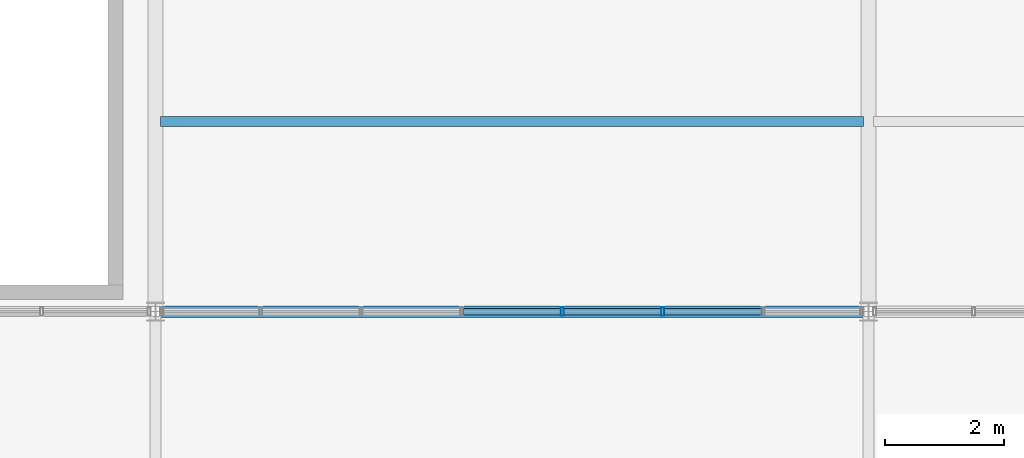
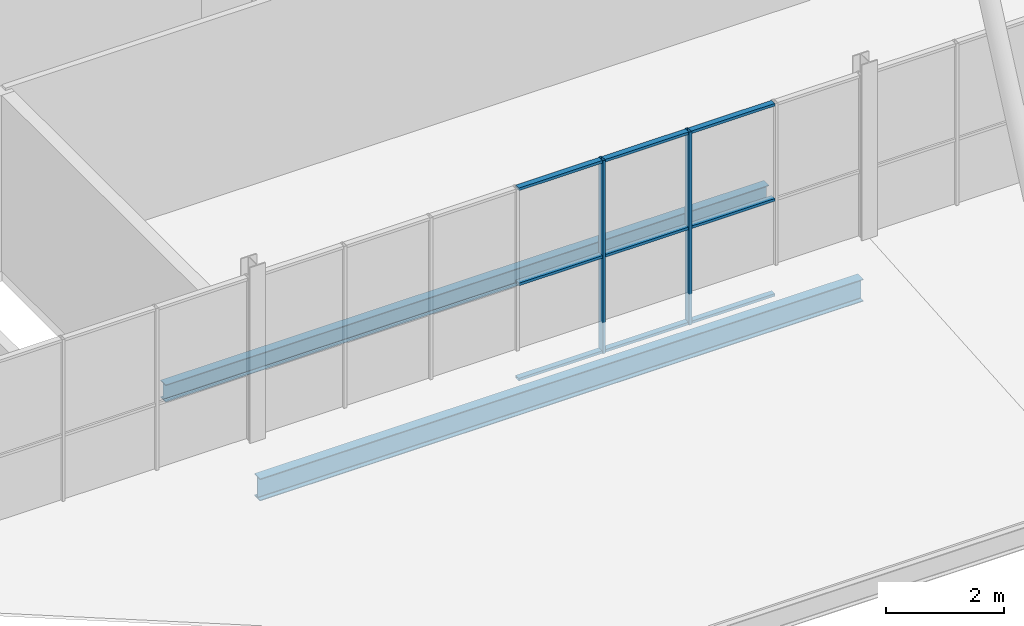
# One storey, part 174 of 324: 11 members, 2 beams, 1 element without a shape of its own.
"""IFC4 building model written with IfcOpenShell, lengths in metres."""

from ifc_helpers import new_model, si_unit, direction, frame, origin, origin_2d, place, context, subcontext, project, spatial, hollow_rectangle, i_section, extrude, material, layer, layer_set, material_profile, profile_set, type_object, element, aggregate, save


model = new_model("IFC4")

# Units and contexts
model_context = context("Model", 3, precision=1e-05, world=origin(), true_north=direction((0.0, 1.0)))
body_context = subcontext(model_context, "Body", "Model", "MODEL_VIEW")
ifc_project = project(units=[si_unit("LENGTHUNIT", "METRE"), si_unit("AREAUNIT", "SQUARE_METRE"), si_unit("VOLUMEUNIT", "CUBIC_METRE"), si_unit("PLANEANGLEUNIT", "RADIAN"), si_unit("MASSUNIT", "GRAM", prefix="KILO")], contexts=[model_context])

# Site, building, storey
site_placement = place(None, origin())
site = spatial("IfcSite", under=ifc_project, at=site_placement, CompositionType="ELEMENT")
building_placement = place(site_placement, origin())
building = spatial("IfcBuilding", under=site, at=building_placement, Name="Solvenia Promenade Tram Depot", CompositionType="ELEMENT")
storey_placement = place(building_placement, frame((0.0, 0.0, 4.5)))
storey = spatial("IfcBuildingStorey", under=building, at=storey_placement, Name="L01", CompositionType="ELEMENT", Elevation=4.5)

# Curtain wall, members
ifc_material_1 = material(Name="Anodized aluminium AW-6063 T6", Category="aluminium")
ifc_layer = layer(ifc_material_1, 0.179931640625, Name="Anodized aluminium AW-6063 T6", Category="aluminium")
ifc_layer_set = layer_set([ifc_layer], Name="Anodized aluminium AW-6063 T6")
curtain_wall_type = type_object("IfcCurtainWallType", Name="CW-Prom-1800", PredefinedType="NOTDEFINED", material=ifc_layer_set)
curtain_wall_placement = place(storey_placement, origin())
curtain_wall = element("IfcCurtainWall", 1, at=curtain_wall_placement, inside=storey, type_object=curtain_wall_type, Name="Curtain Wall CW-V5S-L1-03", PredefinedType="NOTDEFINED")
ifc_material_profile_1 = material_profile(ifc_material_1, hollow_rectangle(XDim=0.139892578125, YDim=0.054931640625, WallThickness=0.00390625, at=origin_2d()), Name="ALU-M4", Category="aluminium")
ifc_profile_set_1 = profile_set([ifc_material_profile_1], Name="Anodized aluminium AW-6063 T6")
member_type_1 = type_object("IfcMemberType", Name="CWM-Mullion-4", PredefinedType="MULLION", material=ifc_profile_set_1)
member_1_placement = place(storey_placement, frame((156.845703125, 8.0, 0.0), z_axis=(0.0, 0.0, 1.0), x_axis=(0.0, 1.0, 0.0)))
member_1 = element("IfcMember", 2, at=member_1_placement, type_object=member_type_1, Name="CW-9 mullion 5", PredefinedType="MULLION", context=body_context, shape_type="SweptSolid", body=[
    extrude(hollow_rectangle(XDim=0.139892578125, YDim=0.054931640625, WallThickness=0.00390625, at=origin_2d()), origin(), (0.0, 0.0, 1.0), 4.0),
])
member_2_placement = place(storey_placement, frame((158.537109375, 8.0, 0.0), z_axis=(0.0, 0.0, 1.0), x_axis=(0.0, 1.0, 0.0)))
member_2 = element("IfcMember", 3, at=member_2_placement, type_object=member_type_1, Name="CW-9 mullion 6", PredefinedType="MULLION", context=body_context, shape_type="SweptSolid", body=[
    extrude(hollow_rectangle(XDim=0.139892578125, YDim=0.054931640625, WallThickness=0.00390625, at=origin_2d()), origin(), (0.0, 0.0, 1.0), 4.0),
])
ifc_material_profile_2 = material_profile(ifc_material_1, hollow_rectangle(XDim=0.110107421875, YDim=0.054931640625, WallThickness=0.00390625, at=origin_2d()), Name="ALU-T4", Category="aluminium")
ifc_profile_set_2 = profile_set([ifc_material_profile_2], Name="Anodized aluminium AW-6063 T6")
member_type_2 = type_object("IfcMemberType", Name="CWT-Transom-4", PredefinedType="USERDEFINED", material=ifc_profile_set_2)
member_3_placement = place(storey_placement, frame((155.181884765625, 8.0, 0.027587890625), z_axis=(1.0, 0.0, 0.0), x_axis=(0.0, 1.0, 0.0)))
member_3 = element("IfcMember", 4, at=member_3_placement, type_object=member_type_2, Name="CW-9 transom 4.1", ObjectType="TRANSOM", PredefinedType="USERDEFINED", context=body_context, shape_type="SweptSolid", body=[
    extrude(hollow_rectangle(XDim=0.110107421875, YDim=0.054931640625, WallThickness=0.00390625, at=origin_2d()), origin(), (0.0, 0.0, 1.0), 1.63623046875),
])
member_4_placement = place(storey_placement, frame((155.181884765625, 8.0, 2.0), z_axis=(1.0, 0.0, 0.0), x_axis=(0.0, 1.0, 0.0)))
member_4 = element("IfcMember", 5, at=member_4_placement, type_object=member_type_2, Name="CW-9 transom 4.2", ObjectType="TRANSOM", PredefinedType="USERDEFINED", context=body_context, shape_type="SweptSolid", body=[
    extrude(hollow_rectangle(XDim=0.110107421875, YDim=0.054931640625, WallThickness=0.00390625, at=origin_2d()), origin(), (0.0, 0.0, 1.0), 1.63623046875),
])
member_5_placement = place(storey_placement, frame((155.181884765625, 8.0, 3.972412109375), z_axis=(1.0, 0.0, 0.0), x_axis=(0.0, 1.0, 0.0)))
member_5 = element("IfcMember", 6, at=member_5_placement, type_object=member_type_2, Name="CW-9 transom 4.3", ObjectType="TRANSOM", PredefinedType="USERDEFINED", context=body_context, shape_type="SweptSolid", body=[
    extrude(hollow_rectangle(XDim=0.110107421875, YDim=0.054931640625, WallThickness=0.00390625, at=origin_2d()), origin(), (0.0, 0.0, 1.0), 1.63623046875),
])
member_6_placement = place(storey_placement, frame((156.873291015625, 8.0, 0.027587890625), z_axis=(1.0, 0.0, 0.0), x_axis=(0.0, 1.0, 0.0)))
member_6 = element("IfcMember", 7, at=member_6_placement, type_object=member_type_2, Name="CW-9 transom 5.1", ObjectType="TRANSOM", PredefinedType="USERDEFINED", context=body_context, shape_type="SweptSolid", body=[
    extrude(hollow_rectangle(XDim=0.110107421875, YDim=0.054931640625, WallThickness=0.00390625, at=origin_2d()), origin(), (0.0, 0.0, 1.0), 1.63623046875),
])
member_7_placement = place(storey_placement, frame((156.873291015625, 8.0, 2.0), z_axis=(1.0, 0.0, 0.0), x_axis=(0.0, 1.0, 0.0)))
member_7 = element("IfcMember", 8, at=member_7_placement, type_object=member_type_2, Name="CW-9 transom 5.2", ObjectType="TRANSOM", PredefinedType="USERDEFINED", context=body_context, shape_type="SweptSolid", body=[
    extrude(hollow_rectangle(XDim=0.110107421875, YDim=0.054931640625, WallThickness=0.00390625, at=origin_2d()), origin(), (0.0, 0.0, 1.0), 1.63623046875),
])
member_8_placement = place(storey_placement, frame((156.873291015625, 8.0, 3.972412109375), z_axis=(1.0, 0.0, 0.0), x_axis=(0.0, 1.0, 0.0)))
member_8 = element("IfcMember", 9, at=member_8_placement, type_object=member_type_2, Name="CW-9 transom 5.3", ObjectType="TRANSOM", PredefinedType="USERDEFINED", context=body_context, shape_type="SweptSolid", body=[
    extrude(hollow_rectangle(XDim=0.110107421875, YDim=0.054931640625, WallThickness=0.00390625, at=origin_2d()), origin(), (0.0, 0.0, 1.0), 1.63623046875),
])
member_9_placement = place(storey_placement, frame((158.564697265625, 8.0, 0.027587890625), z_axis=(1.0, 0.0, 0.0), x_axis=(0.0, 1.0, 0.0)))
member_9 = element("IfcMember", 10, at=member_9_placement, type_object=member_type_2, Name="CW-9 transom 6.1", ObjectType="TRANSOM", PredefinedType="USERDEFINED", context=body_context, shape_type="SweptSolid", body=[
    extrude(hollow_rectangle(XDim=0.110107421875, YDim=0.054931640625, WallThickness=0.00390625, at=origin_2d()), origin(), (0.0, 0.0, 1.0), 1.636474609375),
])
member_10_placement = place(storey_placement, frame((158.564697265625, 8.0, 2.0), z_axis=(1.0, 0.0, 0.0), x_axis=(0.0, 1.0, 0.0)))
member_10 = element("IfcMember", 11, at=member_10_placement, type_object=member_type_2, Name="CW-9 transom 6.2", ObjectType="TRANSOM", PredefinedType="USERDEFINED", context=body_context, shape_type="SweptSolid", body=[
    extrude(hollow_rectangle(XDim=0.110107421875, YDim=0.054931640625, WallThickness=0.00390625, at=origin_2d()), origin(), (0.0, 0.0, 1.0), 1.636474609375),
])
member_11_placement = place(storey_placement, frame((158.564697265625, 8.0, 3.972412109375), z_axis=(1.0, 0.0, 0.0), x_axis=(0.0, 1.0, 0.0)))
member_11 = element("IfcMember", 12, at=member_11_placement, type_object=member_type_2, Name="CW-9 transom 6.3", ObjectType="TRANSOM", PredefinedType="USERDEFINED", context=body_context, shape_type="SweptSolid", body=[
    extrude(hollow_rectangle(XDim=0.110107421875, YDim=0.054931640625, WallThickness=0.00390625, at=origin_2d()), origin(), (0.0, 0.0, 1.0), 1.636474609375),
])
aggregate(curtain_wall, [member_1, member_2, member_3, member_4, member_5, member_6, member_7, member_8, member_9, member_10, member_11])

# Beams
ifc_material_2 = material(Name="Structural steel ASTM A992 Gr. 50", Category="steel")
ifc_material_profile_3 = material_profile(ifc_material_2, i_section(OverallWidth=0.172119140625, OverallDepth=0.35791015625, WebThickness=0.0078125, FlangeThickness=0.01318359375, FilletRadius=0.010986328125, at=origin_2d()), Name="W360x57", Category="steel")
ifc_profile_set_3 = profile_set([ifc_material_profile_3], Name="Structural steel ASTM A992 Gr. 50")
beam_type_1 = type_object("IfcBeamType", Name="Joist-W360x57", PredefinedType="JOIST", material=ifc_profile_set_3)
beam_1_placement = place(storey_placement, frame((150.0849609375, 11.199951171875, -0.39892578125), z_axis=(1.0, 0.0, 0.0), x_axis=(0.0, 1.0, 0.0)))
element("IfcBeam", 13, at=beam_1_placement, inside=storey, type_object=beam_type_1, Name="Secondary Floor Joist BM-L01-0436", PredefinedType="JOIST", context=body_context, shape_type="SweptSolid", body=[
    extrude(i_section(OverallWidth=0.172119140625, OverallDepth=0.35791015625, WebThickness=0.0078125, FlangeThickness=0.01318359375, FilletRadius=0.010986328125, at=origin_2d()), origin(), (0.0, 0.0, 1.0), 11.830078125),
])
ifc_material_profile_4 = material_profile(ifc_material_2, i_section(OverallWidth=0.19091796875, OverallDepth=0.4599609375, WebThickness=0.010009765625, FlangeThickness=0.01611328125, FilletRadius=0.012939453125, at=origin_2d()), Name="W460x82", Category="steel")
ifc_profile_set_4 = profile_set([ifc_material_profile_4], Name="Structural steel ASTM A992 Gr. 50")
beam_type_2 = type_object("IfcBeamType", Name="Spandrel-W460x82", PredefinedType="SPANDREL", material=ifc_profile_set_4)
beam_2_placement = place(storey_placement, frame((150.0849609375, 8.0, -0.449951171875), z_axis=(1.0, 0.0, 0.0), x_axis=(0.0, 1.0, 0.0)))
element("IfcBeam", 14, at=beam_2_placement, inside=storey, type_object=beam_type_2, Name="Perimeter Spandrel BM-L01-0416", PredefinedType="SPANDREL", context=body_context, shape_type="SweptSolid", body=[
    extrude(i_section(OverallWidth=0.19091796875, OverallDepth=0.4599609375, WebThickness=0.010009765625, FlangeThickness=0.01611328125, FilletRadius=0.012939453125, at=origin_2d()), origin(), (0.0, 0.0, 1.0), 11.830078125),
])

save(model, "model.ifc")
